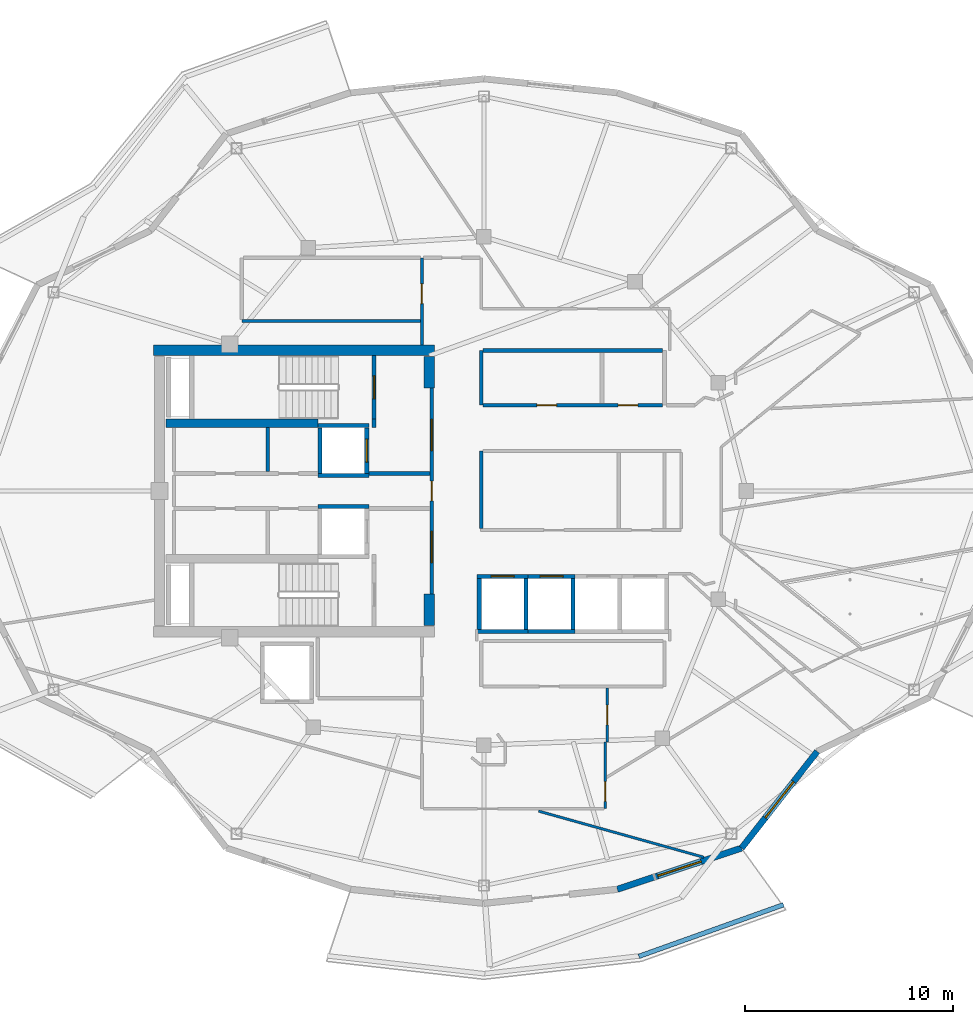
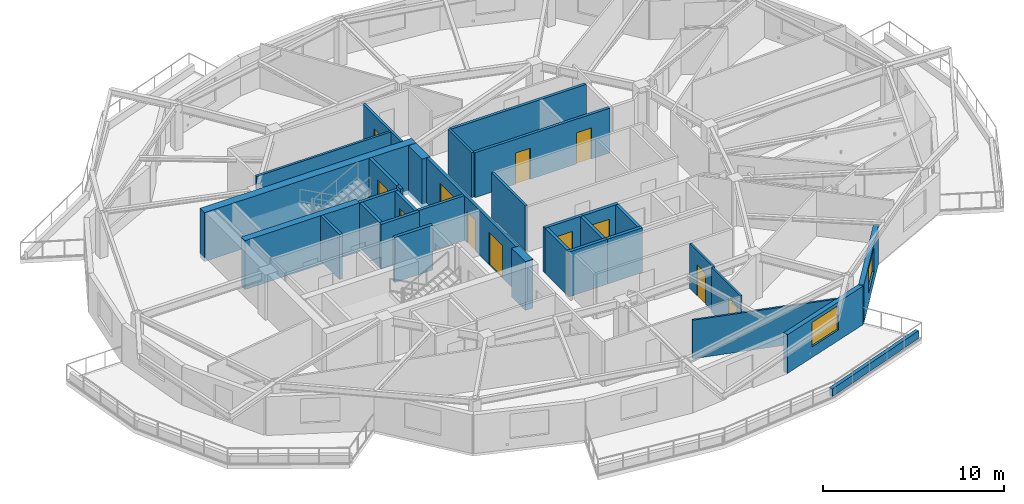
# One storey, part 4 of 14: 33 walls, 12 doors, 2 windows, 14 openings.
"""IFC4 building model written with IfcOpenShell, lengths in metres."""

import ifcopenshell
import ifcopenshell.guid

model = None  # the IFC model being written
_history = None  # IfcOwnerHistory: only IFC2X3 demands one
_inside = {}  # id of a spatial element -> (the spatial element, [elements in it])
_under = {}  # id of a project, library or spatial element -> (it, [spatial elements below it])
_declared = {}  # id of a project -> (the project, [libraries it declares])
_typed = {}  # id of a type object -> (the type object, [elements of that type])
_made_of = {}  # id of a material, layer set ... -> (it, [elements and type objects made of it])


def new_model(schema):
    """Start an empty IFC model of exactly this schema.

    Asked for "IFC4X3", IfcOpenShell would pick the latest addendum, in which some entities
    have other attributes; the version numbers below select the first issue.
    IFC2X3 requires an IfcOwnerHistory on every rooted entity: one is made here for all.
    """
    global model, _history
    if schema == "IFC4X3":
        model = ifcopenshell.file(schema_version=(4, 3, 0, 0))
    else:
        model = ifcopenshell.file(schema=schema)
    _inside.clear()
    _under.clear()
    _declared.clear()
    _typed.clear()
    _made_of.clear()
    _history = None
    if model.schema == "IFC2X3":
        org = make("IfcOrganization", Name="unknown")
        user = make(
            "IfcPersonAndOrganization",
            ThePerson=make("IfcPerson", FamilyName="unknown"),
            TheOrganization=org,
        )
        app = make(
            "IfcApplication",
            ApplicationDeveloper=org,
            Version="unknown",
            ApplicationFullName="unknown",
            ApplicationIdentifier="unknown",
        )
        _history = make(
            "IfcOwnerHistory",
            OwningUser=user,
            OwningApplication=app,
            ChangeAction="ADDED",
            CreationDate=0,
        )
    return model


def make(cls, **values):
    """One entity of the class cls with the attributes given. An attribute that is None is left unset."""
    return model.create_entity(
        cls, **{name: value for name, value in values.items() if value is not None}
    )


def rooted(cls, **values):
    """An entity with a GlobalId (a new one), such as an element, a storey or a relation."""
    return make(cls, GlobalId=ifcopenshell.guid.new(), OwnerHistory=_history, **values)


def si_unit(unit_type, name, prefix=None):
    """IfcSIUnit, for example si_unit("LENGTHUNIT", "METRE", prefix="MILLI")."""
    return make("IfcSIUnit", UnitType=unit_type, Prefix=prefix, Name=name)


def assignment(units):
    """IfcUnitAssignment: the units of a project."""
    return None if units is None else make("IfcUnitAssignment", Units=units)


def point(xyz):
    """IfcCartesianPoint."""
    return None if xyz is None else make("IfcCartesianPoint", Coordinates=xyz)


def direction(xyz):
    """IfcDirection."""
    return None if xyz is None else make("IfcDirection", DirectionRatios=xyz)


def frame(location, z_axis=None, x_axis=None):
    """IfcAxis2Placement3D, a coordinate frame: its origin and axes. An axis left out is left unset."""
    return make(
        "IfcAxis2Placement3D",
        Location=point(location),
        Axis=direction(z_axis),
        RefDirection=direction(x_axis),
    )


def frame_2d(location, x_axis=None):
    """IfcAxis2Placement2D, a coordinate frame in the plane: its origin and x axis."""
    return make(
        "IfcAxis2Placement2D", Location=point(location), RefDirection=direction(x_axis)
    )


def origin():
    """The frame at (0, 0, 0) with its axes left unset."""
    return frame((0.0, 0.0, 0.0))


def place(relative_to, where):
    """IfcLocalPlacement: puts the frame where relative to a parent placement (None: the world)."""
    return make(
        "IfcLocalPlacement", PlacementRelTo=relative_to, RelativePlacement=where
    )


def context(
    kind, dimensions, precision=None, world=None, true_north=None, identifier=None
):
    """IfcGeometricRepresentationContext, for example the 3D "Model" context."""
    return make(
        "IfcGeometricRepresentationContext",
        ContextIdentifier=identifier,
        ContextType=kind,
        CoordinateSpaceDimension=dimensions,
        Precision=precision,
        WorldCoordinateSystem=world,
        TrueNorth=true_north,
    )


def subcontext(parent, identifier, kind, view, scale=None):
    """IfcGeometricRepresentationSubContext, for example "Body" below "Model"."""
    return make(
        "IfcGeometricRepresentationSubContext",
        ContextIdentifier=identifier,
        ContextType=kind,
        ParentContext=parent,
        TargetScale=scale,
        TargetView=view,
    )


def project(units=None, contexts=None):
    """IfcProject with its units and contexts."""
    return rooted(
        "IfcProject",
        Name="project",
        RepresentationContexts=contexts,
        UnitsInContext=assignment(units),
    )


def spatial(cls, under=None, at=None, **own):
    """A site, building, storey or space (cls), placed at a placement, below another one or the project."""
    s = rooted(cls, ObjectPlacement=at, **own)
    if under is not None:
        _under.setdefault(under.id(), (under, []))[1].append(s)
    return s


def profile(cls, at=None, kind="AREA", **sizes):
    """A parametric profile (cls). Its sizes go by their IFC names, for example OverallWidth=200.0."""
    return make(cls, ProfileType=kind, Position=at, **sizes)


def rectangle(**sizes):
    """IfcRectangleProfileDef."""
    return profile("IfcRectangleProfileDef", **sizes)


def extrude(swept, where, along, depth):
    """IfcExtrudedAreaSolid: the profile swept, set in the frame where, extruded along a direction by depth."""
    return make(
        "IfcExtrudedAreaSolid",
        SweptArea=swept,
        Position=where,
        ExtrudedDirection=direction(along),
        Depth=depth,
    )


def shape(context_of_items, identifier, shape_type, items):
    """IfcShapeRepresentation: the items that make up one representation, for example the "Body"."""
    return make(
        "IfcShapeRepresentation",
        ContextOfItems=context_of_items,
        RepresentationIdentifier=identifier,
        RepresentationType=shape_type,
        Items=items,
    )


def material(Name=None, Category=None):
    """IfcMaterial."""
    return make("IfcMaterial", Name=Name, Category=Category)


def layer(
    of_material, thickness, ventilated=None, Name=None, Category=None, Priority=None
):
    """IfcMaterialLayer: one layer of a wall or slab, of a material (None: an air gap)."""
    return make(
        "IfcMaterialLayer",
        Material=of_material,
        LayerThickness=thickness,
        IsVentilated=ventilated,
        Name=Name,
        Category=Category,
        Priority=Priority,
    )


def layer_set(layers, Name=None):
    """IfcMaterialLayerSet."""
    return make("IfcMaterialLayerSet", MaterialLayers=layers, LayerSetName=Name)


def made_of(thing, what):
    """Note that an element or type object is made of a material, layer set ...; save() writes the relation."""
    if what is not None:
        _made_of.setdefault(what.id(), (what, []))[1].append(thing)
    return thing


def type_object(cls, material=None, **own):
    """A type object (cls), such as IfcWallType, which elements share."""
    return made_of(rooted(cls, **own), material)


def element(
    cls,
    number,
    at=None,
    inside=None,
    cuts=None,
    type_object=None,
    material=None,
    context=None,
    identifier="Body",
    shape_type=None,
    held_by="IfcProductDefinitionShape",
    body=None,
    shapes=None,
    **own,
):
    """One element of the class cls, such as IfcWall. Its Tag is "e" and its number.

    at: its placement. inside: the storey or other place that contains it. cuts: it is an
    opening in that element (IfcRelVoidsElement). A single representation is given by context,
    identifier, shape_type and body (its items); several are given by shapes. held_by: the class
    of the entity that holds the representations. save() writes the other relations.
    """
    e = rooted(cls, Tag="e%d" % number, ObjectPlacement=at, **own)
    if body is not None:
        shapes = [shape(context, identifier, shape_type, body)]
    if shapes is not None:
        e.Representation = make(held_by, Representations=shapes)
    if inside is not None:
        _inside.setdefault(inside.id(), (inside, []))[1].append(e)
    if cuts is not None:
        rooted(
            "IfcRelVoidsElement", RelatingBuildingElement=cuts, RelatedOpeningElement=e
        )
    if type_object is not None:
        _typed.setdefault(type_object.id(), (type_object, []))[1].append(e)
    return made_of(e, material)


def fill(opening, filler):
    """IfcRelFillsElement: the door or window that sits in an opening."""
    return rooted(
        "IfcRelFillsElement",
        RelatingOpeningElement=opening,
        RelatedBuildingElement=filler,
    )


def aggregate(whole, parts):
    """IfcRelAggregates: a whole, such as a stair, and the parts it consists of."""
    return rooted("IfcRelAggregates", RelatingObject=whole, RelatedObjects=parts)


def save(model, path):
    """Write the relations noted so far, then the file.

    IfcRelAggregates (storeys below a building ...), IfcRelContainedInSpatialStructure (elements
    in a storey), IfcRelDefinesByType, IfcRelAssociatesMaterial and IfcRelDeclares: one each for
    every whole, place, type object, material and project.
    """
    for whole, parts in _under.values():
        aggregate(whole, parts)
    for where, things in _inside.values():
        rooted(
            "IfcRelContainedInSpatialStructure",
            RelatedElements=things,
            RelatingStructure=where,
        )
    for kind, things in _typed.values():
        rooted("IfcRelDefinesByType", RelatedObjects=things, RelatingType=kind)
    for what, things in _made_of.values():
        rooted("IfcRelAssociatesMaterial", RelatedObjects=things, RelatingMaterial=what)
    for by, libraries in _declared.values():
        rooted("IfcRelDeclares", RelatingContext=by, RelatedDefinitions=libraries)
    model.write(path)


model = new_model("IFC4")

# Units and contexts
model_context = context("Model", 3, precision=1e-05, world=origin(), true_north=direction((0.0, 1.0)))
body_context = subcontext(model_context, "Body", "Model", "MODEL_VIEW")
ifc_project = project(units=[si_unit("LENGTHUNIT", "METRE"), si_unit("AREAUNIT", "SQUARE_METRE"), si_unit("VOLUMEUNIT", "CUBIC_METRE"), si_unit("PLANEANGLEUNIT", "RADIAN"), si_unit("MASSUNIT", "GRAM", prefix="KILO")], contexts=[model_context])

# Site, building, storey
site_placement = place(None, origin())
site = spatial("IfcSite", under=ifc_project, at=site_placement, CompositionType="ELEMENT")
building_placement = place(site_placement, origin())
building = spatial("IfcBuilding", under=site, at=building_placement, Name="Kolvaren Gate Tower and Convention Centre", CompositionType="ELEMENT")
storey_placement = place(building_placement, frame((0.0, 0.0, 222.800048828125)))
storey = spatial("IfcBuildingStorey", under=building, at=storey_placement, Name="L59", CompositionType="ELEMENT", Elevation=222.800048828125)

# Wall
ifc_material_1 = material(Name="Autoclaved Aerated Masonry Blockwork Class 4 (4.0 MPa)", Category="masonry")
ifc_layer_1 = layer(ifc_material_1, 0.179931640625)
ifc_layer_set_1 = layer_set([ifc_layer_1], Name="Autoclaved Aerated Masonry Blockwork Class 4 (4.0 MPa)")
wall_type_1 = type_object("IfcWallType", Name="ARCH-WL-COMP-180", PredefinedType="SOLIDWALL", material=ifc_layer_set_1)
wall_1_placement = place(storey_placement, frame((24.85009765625, 30.0400390625, 0.0), z_axis=(0.0, 0.0, 1.0), x_axis=(0.0, 1.0, 0.0)))
element("IfcWall", 1, at=wall_1_placement, inside=storey, type_object=wall_type_1, Name="Interior Partition WL-L59-INT-002", PredefinedType="SOLIDWALL", context=body_context, shape_type="SweptSolid", body=[
    extrude(rectangle(XDim=0.419921875, YDim=0.179931640625, at=frame_2d((0.2099609375, 0.0))), origin(), (0.0, 0.0, 1.0), 3.030029296875),
])

# Wall, openings, doors
wall_2_placement = place(storey_placement, frame((27.6201171875, 22.050048828125, 0.0), z_axis=(0.0, 0.0, 1.0), x_axis=(0.0, 1.0, 0.0)))
wall_2 = element("IfcWall", 2, at=wall_2_placement, inside=storey, type_object=wall_type_1, Name="Interior Partition WL-L59-INT-003", PredefinedType="SOLIDWALL", context=body_context, shape_type="SweptSolid", body=[
    extrude(rectangle(XDim=9.89990234375, YDim=0.179931640625, at=frame_2d((4.949951171875, 0.0))), origin(), (0.0, 0.0, 1.0), 3.030029296875),
])
opening_1_placement = place(wall_2_placement, frame((4.47509765625, 0.0, 0.0)))
opening_1 = element("IfcOpeningElement", 3, at=opening_1_placement, cuts=wall_2, Name="Opening DR-01", PredefinedType="OPENING", context=body_context, shape_type="SweptSolid", body=[
    extrude(rectangle(XDim=0.949951171875, YDim=2.10009765625, at=frame_2d((0.47509765625, 1.050048828125))), frame((0.0, 0.099853515625, 0.0), z_axis=(0.0, -1.0, 0.0), x_axis=(1.0, 0.0, 0.0)), (0.0, 0.0, 1.0), 0.199951171875),
])
opening_2_placement = place(wall_2_placement, frame((6.889892578125, 0.0, 0.0)))
opening_2 = element("IfcOpeningElement", 4, at=opening_2_placement, cuts=wall_2, Name="Opening DL-01", PredefinedType="OPENING", context=body_context, shape_type="SweptSolid", body=[
    extrude(rectangle(XDim=1.5, YDim=2.199951171875, at=frame_2d((0.75, 1.10009765625))), frame((0.0, 0.099853515625, 0.0), z_axis=(0.0, -1.0, 0.0), x_axis=(1.0, 0.0, 0.0)), (0.0, 0.0, 1.0), 0.199951171875),
])
opening_3_placement = place(wall_2_placement, frame((1.510009765625, 0.0, 0.0)))
opening_3 = element("IfcOpeningElement", 5, at=opening_3_placement, cuts=wall_2, Name="Opening DL-01", PredefinedType="OPENING", context=body_context, shape_type="SweptSolid", body=[
    extrude(rectangle(XDim=1.5, YDim=2.199951171875, at=frame_2d((0.75, 1.10009765625))), frame((0.0, 0.099853515625, 0.0), z_axis=(0.0, -1.0, 0.0), x_axis=(1.0, 0.0, 0.0)), (0.0, 0.0, 1.0), 0.199951171875),
])
ifc_material_2 = material(Name="Painted Architectural Steelwork ASTM A500 Grade C 345 MPa", Category="steel")
door_type_1 = type_object("IfcDoorType", Name="ARCH-DR-LOBBY-1500", OperationType="DOUBLE_DOOR_SINGLE_SWING", PredefinedType="DOOR", material=ifc_material_2)
door_1_placement = place(opening_2_placement, origin())
door_1 = element("IfcDoor", 6, at=door_1_placement, inside=storey, type_object=door_type_1, Name="North Firefighting Stair and Lift Lobby Door", OperationType="DOUBLE_DOOR_SINGLE_SWING", OverallHeight=2.199951171875, OverallWidth=1.5, PredefinedType="DOOR", context=body_context, shape_type="SweptSolid", body=[
    extrude(rectangle(XDim=1.5, YDim=2.199951171875, at=frame_2d((0.75, 1.10009765625))), frame((0.0, 0.02490234375, 0.0), z_axis=(0.0, -1.0, 0.0), x_axis=(1.0, 0.0, 0.0)), (0.0, 0.0, 1.0), 0.050048828125),
])
fill(opening_2, door_1)
door_2_placement = place(opening_3_placement, origin())
door_2 = element("IfcDoor", 7, at=door_2_placement, inside=storey, type_object=door_type_1, Name="South Firefighting Stair and Lift Lobby Door", OperationType="DOUBLE_DOOR_SINGLE_SWING", OverallHeight=2.199951171875, OverallWidth=1.5, PredefinedType="DOOR", context=body_context, shape_type="SweptSolid", body=[
    extrude(rectangle(XDim=1.5, YDim=2.199951171875, at=frame_2d((0.75, 1.10009765625))), frame((0.0, 0.02490234375, 0.0), z_axis=(0.0, -1.0, 0.0), x_axis=(1.0, 0.0, 0.0)), (0.0, 0.0, 1.0), 0.050048828125),
])
fill(opening_3, door_2)
door_type_2 = type_object("IfcDoorType", Name="ARCH-DR-RISER-950", OperationType="SINGLE_SWING_RIGHT", PredefinedType="DOOR", material=ifc_material_2)
door_3_placement = place(opening_1_placement, origin())
door_3 = element("IfcDoor", 8, at=door_3_placement, inside=storey, type_object=door_type_2, Name="Central MEP Service Corridor Door", OperationType="SINGLE_SWING_LEFT", OverallHeight=2.10009765625, OverallWidth=0.949951171875, PredefinedType="DOOR", context=body_context, shape_type="SweptSolid", body=[
    extrude(rectangle(XDim=0.949951171875, YDim=2.10009765625, at=frame_2d((0.47509765625, 1.050048828125))), frame((0.0, 0.02490234375, 0.0), z_axis=(0.0, -1.0, 0.0), x_axis=(1.0, 0.0, 0.0)), (0.0, 0.0, 1.0), 0.050048828125),
])
fill(opening_1, door_3)

# Walls
wall_3_placement = place(storey_placement, frame((24.60009765625, 27.840087890625, 0.0), z_axis=(0.0, 0.0, 1.0), x_axis=(1.0, 0.0, 0.0)))
element("IfcWall", 9, at=wall_3_placement, inside=storey, type_object=wall_type_1, Name="Interior Partition WL-L59-INT-004 (2)", PredefinedType="SOLIDWALL", context=body_context, shape_type="SweptSolid", body=[
    extrude(rectangle(XDim=2.927978515625, YDim=0.179931640625, at=frame_2d((1.4638671875, 0.0))), origin(), (0.0, 0.0, 1.0), 3.030029296875),
])
wall_4_placement = place(storey_placement, frame((19.75, 27.931884765625, 0.0), z_axis=(0.0, 0.0, 1.0), x_axis=(0.0, 1.0, 0.0)))
element("IfcWall", 10, at=wall_4_placement, inside=storey, type_object=wall_type_1, Name="Interior Partition WL-L59-INT-008", PredefinedType="SOLIDWALL", context=body_context, shape_type="SweptSolid", body=[
    extrude(rectangle(XDim=2.106201171875, YDim=0.179931640625, at=frame_2d((1.05322265625, 0.0))), origin(), (0.0, 0.0, 1.0), 3.030029296875),
])

# Wall, openings, doors
wall_5_placement = place(storey_placement, frame((30.076904296875, 31.1201171875, 0.0), z_axis=(0.0, 0.0, 1.0), x_axis=(1.0, 0.0, 0.0)))
wall_5 = element("IfcWall", 11, at=wall_5_placement, inside=storey, type_object=wall_type_1, Name="Interior Partition WL-L59-INT-023", PredefinedType="SOLIDWALL", context=body_context, shape_type="SweptSolid", body=[
    extrude(rectangle(XDim=8.631103515625, YDim=0.179931640625, at=frame_2d((4.3154296875, 0.0))), origin(), (0.0, 0.0, 1.0), 3.030029296875),
])
opening_4_placement = place(wall_5_placement, frame((2.591552734375, 0.0, 0.0)))
opening_4 = element("IfcOpeningElement", 12, at=opening_4_placement, cuts=wall_5, Name="Opening DR-01", PredefinedType="OPENING", context=body_context, shape_type="SweptSolid", body=[
    extrude(rectangle(XDim=0.949951171875, YDim=2.10009765625, at=frame_2d((0.47509765625, 1.050048828125))), frame((0.0, 0.099853515625, 0.0), z_axis=(0.0, -1.0, 0.0), x_axis=(1.0, 0.0, 0.0)), (0.0, 0.0, 1.0), 0.199951171875),
])
opening_5_placement = place(wall_5_placement, frame((6.4970703125, 0.0, 0.0)))
opening_5 = element("IfcOpeningElement", 13, at=opening_5_placement, cuts=wall_5, Name="Opening DR-01", PredefinedType="OPENING", context=body_context, shape_type="SweptSolid", body=[
    extrude(rectangle(XDim=0.949951171875, YDim=2.10009765625, at=frame_2d((0.47509765625, 1.050048828125))), frame((0.0, 0.099853515625, 0.0), z_axis=(0.0, -1.0, 0.0), x_axis=(1.0, 0.0, 0.0)), (0.0, 0.0, 1.0), 0.199951171875),
])
door_4_placement = place(opening_4_placement, origin())
door_4 = element("IfcDoor", 14, at=door_4_placement, inside=storey, type_object=door_type_2, Name="Steward Supply Store Door", OperationType="SINGLE_SWING_LEFT", OverallHeight=2.10009765625, OverallWidth=0.949951171875, PredefinedType="DOOR", context=body_context, shape_type="SweptSolid", body=[
    extrude(rectangle(XDim=0.949951171875, YDim=2.10009765625, at=frame_2d((0.47509765625, 1.050048828125))), frame((0.0, 0.02490234375, 0.0), z_axis=(0.0, -1.0, 0.0), x_axis=(1.0, 0.0, 0.0)), (0.0, 0.0, 1.0), 0.050048828125),
])
fill(opening_4, door_4)
door_5_placement = place(opening_5_placement, origin())
door_5 = element("IfcDoor", 15, at=door_5_placement, inside=storey, type_object=door_type_2, Name="Floor Telecom Switch Room Door", OperationType="SINGLE_SWING_RIGHT", OverallHeight=2.10009765625, OverallWidth=0.949951171875, PredefinedType="DOOR", context=body_context, shape_type="SweptSolid", body=[
    extrude(rectangle(XDim=0.949951171875, YDim=2.10009765625, at=frame_2d((0.47509765625, 1.050048828125))), frame((0.0, 0.02490234375, 0.0), z_axis=(0.0, -1.0, 0.0), x_axis=(1.0, 0.0, 0.0)), (0.0, 0.0, 1.0), 0.050048828125),
])
fill(opening_5, door_5)

# Wall
wall_6_placement = place(storey_placement, frame((30.076904296875, 33.75, 0.0), z_axis=(0.0, 0.0, 1.0), x_axis=(1.0, 0.0, 0.0)))
element("IfcWall", 16, at=wall_6_placement, inside=storey, type_object=wall_type_1, Name="Interior Partition WL-L59-INT-024", PredefinedType="SOLIDWALL", context=body_context, shape_type="SweptSolid", body=[
    extrude(rectangle(XDim=8.631103515625, YDim=0.179931640625, at=frame_2d((4.3154296875, 0.0))), origin(), (0.0, 0.0, 1.0), 3.030029296875),
])

# Wall, opening, door
ifc_material_3 = material(Name="Fire-Rated Acoustic Gypsum Stud Partition", Category="gypsum")
ifc_layer_2 = layer(ifc_material_3, 0.1201171875)
ifc_layer_set_2 = layer_set([ifc_layer_2], Name="Fire-Rated Acoustic Gypsum Stud Partition")
wall_type_2 = type_object("IfcWallType", Name="ARCH-WL-PART-120", PredefinedType="PARTITIONING", material=ifc_layer_set_2)
wall_7_placement = place(storey_placement, frame((36.050048828125, 14.949951171875, 0.0), z_axis=(0.0, 0.0, 1.0), x_axis=(0.0, 1.0, 0.0)))
wall_7 = element("IfcWall", 17, at=wall_7_placement, inside=storey, type_object=wall_type_2, Name="Interior Partition WL-L59-INT-049", PredefinedType="PARTITIONING", context=body_context, shape_type="SweptSolid", body=[
    extrude(rectangle(XDim=2.593017578125, YDim=0.1201171875, at=frame_2d((1.29638671875, 0.0))), origin(), (0.0, 0.0, 1.0), 3.030029296875),
])
opening_6_placement = place(wall_7_placement, frame((0.821533203125, 0.0, 0.0)))
opening_6 = element("IfcOpeningElement", 18, at=opening_6_placement, cuts=wall_7, Name="Opening DR-01", PredefinedType="OPENING", context=body_context, shape_type="SweptSolid", body=[
    extrude(rectangle(XDim=0.949951171875, YDim=2.10009765625, at=frame_2d((0.47509765625, 1.050048828125))), frame((0.0, 0.070068359375, 0.0), z_axis=(0.0, -1.0, 0.0), x_axis=(1.0, 0.0, 0.0)), (0.0, 0.0, 1.0), 0.14013671875),
])
door_6_placement = place(opening_6_placement, origin())
door_6 = element("IfcDoor", 19, at=door_6_placement, inside=storey, type_object=door_type_2, Name="Resident Reading Study Door", OperationType="SINGLE_SWING_RIGHT", OverallHeight=2.10009765625, OverallWidth=0.949951171875, PredefinedType="DOOR", context=body_context, shape_type="SweptSolid", body=[
    extrude(rectangle(XDim=0.949951171875, YDim=2.10009765625, at=frame_2d((0.47509765625, 1.050048828125))), frame((0.0, 0.02490234375, 0.0), z_axis=(0.0, -1.0, 0.0), x_axis=(1.0, 0.0, 0.0)), (0.0, 0.0, 1.0), 0.050048828125),
])
fill(opening_6, door_6)

wall_8_placement = place(storey_placement, frame((35.949951171875, 11.75, 0.0), z_axis=(0.0, 0.0, 1.0), x_axis=(0.0, 1.0, 0.0)))
wall_8 = element("IfcWall", 20, at=wall_8_placement, inside=storey, type_object=wall_type_2, Name="Interior Partition WL-L59-INT-050", PredefinedType="PARTITIONING", context=body_context, shape_type="SweptSolid", body=[
    extrude(rectangle(XDim=3.199951171875, YDim=0.1201171875, at=frame_2d((1.60009765625, 0.0))), origin(), (0.0, 0.0, 1.0), 3.030029296875),
])
opening_7_placement = place(wall_8_placement, frame((0.343017578125, 0.0, 0.0)))
opening_7 = element("IfcOpeningElement", 21, at=opening_7_placement, cuts=wall_8, Name="Opening DR-01", PredefinedType="OPENING", context=body_context, shape_type="SweptSolid", body=[
    extrude(rectangle(XDim=0.949951171875, YDim=2.10009765625, at=frame_2d((0.47509765625, 1.050048828125))), frame((0.0, 0.070068359375, 0.0), z_axis=(0.0, -1.0, 0.0), x_axis=(1.0, 0.0, 0.0)), (0.0, 0.0, 1.0), 0.14013671875),
])
door_7_placement = place(opening_7_placement, origin())
door_7 = element("IfcDoor", 22, at=door_7_placement, inside=storey, type_object=door_type_2, Name="Resident Private Study Door", OperationType="SINGLE_SWING_LEFT", OverallHeight=2.10009765625, OverallWidth=0.949951171875, PredefinedType="DOOR", context=body_context, shape_type="SweptSolid", body=[
    extrude(rectangle(XDim=0.949951171875, YDim=2.10009765625, at=frame_2d((0.47509765625, 1.050048828125))), frame((0.0, 0.02490234375, 0.0), z_axis=(0.0, -1.0, 0.0), x_axis=(1.0, 0.0, 0.0)), (0.0, 0.0, 1.0), 0.050048828125),
])
fill(opening_7, door_7)

# Walls
wall_9_placement = place(storey_placement, frame((32.75341796875, 11.6279296875, 0.0), z_axis=(0.0, 0.0, 1.0), x_axis=(0.96314203236, -0.26899335587, 0.0)))
element("IfcWall", 23, at=wall_9_placement, inside=storey, type_object=wall_type_2, Name="Interior Partition WL-L59-INT-060", PredefinedType="PARTITIONING", context=body_context, shape_type="SweptSolid", body=[
    extrude(rectangle(XDim=8.237548828125, YDim=0.1201171875, at=frame_2d((4.11865234375, 0.0))), origin(), (0.0, 0.0, 1.0), 2.60498046875),
])
ifc_material_4 = material(Name="Piedmont Cream Honed Limestone Cladding", Category="masonry")
ifc_layer_3 = layer(ifc_material_4, 0.219970703125)
ifc_layer_set_3 = layer_set([ifc_layer_3], Name="Piedmont Cream Honed Limestone Cladding")
wall_type_3 = type_object("IfcWallType", Name="ARCH-WL-PLANTER-220", PredefinedType="PARAPET", material=ifc_layer_set_3)
wall_10_placement = place(storey_placement, frame((37.564697265625, 4.65283203125, 0.0), z_axis=(0.0, 0.0, 1.0), x_axis=(0.941780086523, 0.336229488042, 0.0)))
element("IfcWall", 24, at=wall_10_placement, inside=storey, type_object=wall_type_3, Name="Vertical-Forest Balcony Stone Planter Kerb PK-L59-3.3", PredefinedType="PARAPET", context=body_context, shape_type="SweptSolid", body=[
    extrude(rectangle(XDim=7.3779296875, YDim=0.219970703125, at=frame_2d((3.68896484375, 0.0))), origin(), (0.0, 0.0, 1.0), 0.52001953125),
])
ifc_layer_4 = layer(ifc_material_1, 0.199951171875)
ifc_layer_set_4 = layer_set([ifc_layer_4], Name="Autoclaved Aerated Masonry Blockwork Class 4 (4.0 MPa)")
wall_type_4 = type_object("IfcWallType", Name="ARCH-WL-SHAFT-200", PredefinedType="SOLIDWALL", material=ifc_layer_set_4)
for number, where, z_axis, x_axis, name in (
    (25, (22.14990234375, 30.139892578125, 0.0), (0.0, 0.0, 1.0), (1.0, 0.0, 0.0), "Elevator FF-01 L59 Fire Shaft Wall N"),
    (26, (22.14990234375, 27.739990234375, 0.0), (0.0, 0.0, 1.0), (1.0, 0.0, 0.0), "Elevator FF-01 L59 Fire Shaft Wall S"),
):
    element("IfcWall", number, at=place(storey_placement, frame(where, z_axis=z_axis, x_axis=x_axis)), inside=storey, type_object=wall_type_4, Name=name, PredefinedType="SOLIDWALL", context=body_context, shape_type="SweptSolid", body=[
        extrude(rectangle(XDim=2.4501953125, YDim=0.199951171875, at=frame_2d((1.22509765625, 0.0))), origin(), (0.0, 0.0, 1.0), 3.030029296875),
    ])
wall_11_placement = place(storey_placement, frame((22.25, 27.85009765625, 0.0), z_axis=(0.0, 0.0, 1.0), x_axis=(0.0, 1.0, 0.0)))
element("IfcWall", 27, at=wall_11_placement, inside=storey, type_object=wall_type_4, Name="Elevator FF-01 L59 Fire Shaft Wall W", PredefinedType="SOLIDWALL", context=body_context, shape_type="SweptSolid", body=[
    extrude(rectangle(XDim=2.179931640625, YDim=0.199951171875, at=frame_2d((1.08984375, 0.0))), origin(), (0.0, 0.0, 1.0), 3.030029296875),
])

# Wall, opening, door
wall_12_placement = place(storey_placement, frame((24.5, 27.85009765625, 0.0), z_axis=(0.0, 0.0, 1.0), x_axis=(0.0, 1.0, 0.0)))
wall_12 = element("IfcWall", 28, at=wall_12_placement, inside=storey, type_object=wall_type_4, Name="Elevator FF-01 L59 Fire Shaft Wall E", PredefinedType="SOLIDWALL", context=body_context, shape_type="SweptSolid", body=[
    extrude(rectangle(XDim=2.179931640625, YDim=0.199951171875, at=frame_2d((1.08984375, 0.0))), origin(), (0.0, 0.0, 1.0), 3.030029296875),
])
opening_8_placement = place(wall_12_placement, frame((0.5400390625, 0.0, 0.0)))
opening_8 = element("IfcOpeningElement", 29, at=opening_8_placement, cuts=wall_12, Name="Opening LD", PredefinedType="OPENING", context=body_context, shape_type="SweptSolid", body=[
    extrude(rectangle(XDim=1.10009765625, YDim=2.199951171875, at=frame_2d((0.550048828125, 1.10009765625))), frame((0.0, 0.10986328125, 0.0), z_axis=(0.0, -1.0, 0.0), x_axis=(1.0, 0.0, 0.0)), (0.0, 0.0, 1.0), 0.219970703125),
])
ifc_material_5 = material(Name="Brushed Stainless Steel Grade 316L", Category="steel")
door_type_3 = type_object("IfcDoorType", Name="ARCH-DR-LIFT-1100", OperationType="SLIDING_TO_LEFT", PredefinedType="DOOR", material=ifc_material_5)
door_8_placement = place(opening_8_placement, origin())
door_8 = element("IfcDoor", 30, at=door_8_placement, inside=storey, type_object=door_type_3, Name="Elevator FF-01 L59 Sliding Landing Door", OperationType="SLIDING_TO_LEFT", OverallHeight=2.199951171875, OverallWidth=1.10009765625, PredefinedType="DOOR", context=body_context, shape_type="SweptSolid", body=[
    extrude(rectangle(XDim=1.10009765625, YDim=2.199951171875, at=frame_2d((0.550048828125, 1.10009765625))), frame((0.0, 0.02490234375, 0.0), z_axis=(0.0, -1.0, 0.0), x_axis=(1.0, 0.0, 0.0)), (0.0, 0.0, 1.0), 0.050048828125),
])
fill(opening_8, door_8)

# Wall
wall_13_placement = place(storey_placement, frame((22.14990234375, 26.260009765625, 0.0), z_axis=(0.0, 0.0, 1.0), x_axis=(1.0, 0.0, 0.0)))
element("IfcWall", 31, at=wall_13_placement, inside=storey, type_object=wall_type_4, Name="Elevator FF-02 L59 Fire Shaft Wall N", PredefinedType="SOLIDWALL", context=body_context, shape_type="SweptSolid", body=[
    extrude(rectangle(XDim=2.4501953125, YDim=0.199951171875, at=frame_2d((1.22509765625, 0.0))), origin(), (0.0, 0.0, 1.0), 3.030029296875),
])

# Wall, opening, door
wall_14_placement = place(storey_placement, frame((29.800048828125, 22.89990234375, 0.0), z_axis=(0.0, 0.0, 1.0), x_axis=(1.0, 0.0, 0.0)))
wall_14 = element("IfcWall", 32, at=wall_14_placement, inside=storey, type_object=wall_type_4, Name="Elevator PL-09 L59 Fire Shaft Wall N", PredefinedType="SOLIDWALL", context=body_context, shape_type="SweptSolid", body=[
    extrude(rectangle(XDim=2.449951171875, YDim=0.199951171875, at=frame_2d((1.22509765625, 0.0))), origin(), (0.0, 0.0, 1.0), 3.030029296875),
])
opening_9_placement = place(wall_14_placement, frame((0.675048828125, 0.0, 0.0)))
opening_9 = element("IfcOpeningElement", 33, at=opening_9_placement, cuts=wall_14, Name="Opening LD", PredefinedType="OPENING", context=body_context, shape_type="SweptSolid", body=[
    extrude(rectangle(XDim=1.10009765625, YDim=2.199951171875, at=frame_2d((0.550048828125, 1.10009765625))), frame((0.0, 0.10986328125, 0.0), z_axis=(0.0, -1.0, 0.0), x_axis=(1.0, 0.0, 0.0)), (0.0, 0.0, 1.0), 0.219970703125),
])
door_9_placement = place(opening_9_placement, origin())
door_9 = element("IfcDoor", 34, at=door_9_placement, inside=storey, type_object=door_type_3, Name="Elevator PL-09 L59 Sliding Landing Door", OperationType="SLIDING_TO_LEFT", OverallHeight=2.199951171875, OverallWidth=1.10009765625, PredefinedType="DOOR", context=body_context, shape_type="SweptSolid", body=[
    extrude(rectangle(XDim=1.10009765625, YDim=2.199951171875, at=frame_2d((0.550048828125, 1.10009765625))), frame((0.0, 0.02490234375, 0.0), z_axis=(0.0, -1.0, 0.0), x_axis=(1.0, 0.0, 0.0)), (0.0, 0.0, 1.0), 0.050048828125),
])
fill(opening_9, door_9)

# Walls
wall_15_placement = place(storey_placement, frame((29.800048828125, 20.25, 0.0), z_axis=(0.0, 0.0, 1.0), x_axis=(1.0, 0.0, 0.0)))
element("IfcWall", 35, at=wall_15_placement, inside=storey, type_object=wall_type_4, Name="Elevator PL-09 L59 Fire Shaft Wall S", PredefinedType="SOLIDWALL", context=body_context, shape_type="SweptSolid", body=[
    extrude(rectangle(XDim=2.449951171875, YDim=0.199951171875, at=frame_2d((1.22509765625, 0.0))), origin(), (0.0, 0.0, 1.0), 3.030029296875),
])
for number, where, z_axis, x_axis, name in (
    (36, (29.89990234375, 20.360107421875, 0.0), (0.0, 0.0, 1.0), (0.0, 1.0, 0.0), "Elevator PL-09 L59 Fire Shaft Wall W"),
    (37, (32.14990234375, 20.360107421875, 0.0), (0.0, 0.0, 1.0), (0.0, 1.0, 0.0), "Elevator PL-09 L59 Fire Shaft Wall E"),
):
    element("IfcWall", number, at=place(storey_placement, frame(where, z_axis=z_axis, x_axis=x_axis)), inside=storey, type_object=wall_type_4, Name=name, PredefinedType="SOLIDWALL", context=body_context, shape_type="SweptSolid", body=[
        extrude(rectangle(XDim=2.429931640625, YDim=0.199951171875, at=frame_2d((1.21484375, 0.0))), origin(), (0.0, 0.0, 1.0), 3.030029296875),
    ])

# Wall, opening, door
wall_16_placement = place(storey_placement, frame((32.25, 22.89990234375, 0.0), z_axis=(0.0, 0.0, 1.0), x_axis=(1.0, 0.0, 0.0)))
wall_16 = element("IfcWall", 38, at=wall_16_placement, inside=storey, type_object=wall_type_4, Name="Elevator PL-10 L59 Fire Shaft Wall N", PredefinedType="SOLIDWALL", context=body_context, shape_type="SweptSolid", body=[
    extrude(rectangle(XDim=2.25, YDim=0.199951171875, at=frame_2d((1.125, 0.0))), origin(), (0.0, 0.0, 1.0), 3.030029296875),
])
opening_10_placement = place(wall_16_placement, frame((0.574951171875, 0.0, 0.0)))
opening_10 = element("IfcOpeningElement", 39, at=opening_10_placement, cuts=wall_16, Name="Opening LD", PredefinedType="OPENING", context=body_context, shape_type="SweptSolid", body=[
    extrude(rectangle(XDim=1.10009765625, YDim=2.199951171875, at=frame_2d((0.550048828125, 1.10009765625))), frame((0.0, 0.10986328125, 0.0), z_axis=(0.0, -1.0, 0.0), x_axis=(1.0, 0.0, 0.0)), (0.0, 0.0, 1.0), 0.219970703125),
])
door_10_placement = place(opening_10_placement, origin())
door_10 = element("IfcDoor", 40, at=door_10_placement, inside=storey, type_object=door_type_3, Name="Elevator PL-10 L59 Sliding Landing Door", OperationType="SLIDING_TO_LEFT", OverallHeight=2.199951171875, OverallWidth=1.10009765625, PredefinedType="DOOR", context=body_context, shape_type="SweptSolid", body=[
    extrude(rectangle(XDim=1.10009765625, YDim=2.199951171875, at=frame_2d((0.550048828125, 1.10009765625))), frame((0.0, 0.02490234375, 0.0), z_axis=(0.0, -1.0, 0.0), x_axis=(1.0, 0.0, 0.0)), (0.0, 0.0, 1.0), 0.050048828125),
])
fill(opening_10, door_10)

# Walls
wall_17_placement = place(storey_placement, frame((32.25, 20.25, 0.0), z_axis=(0.0, 0.0, 1.0), x_axis=(1.0, 0.0, 0.0)))
element("IfcWall", 41, at=wall_17_placement, inside=storey, type_object=wall_type_4, Name="Elevator PL-10 L59 Fire Shaft Wall S", PredefinedType="SOLIDWALL", context=body_context, shape_type="SweptSolid", body=[
    extrude(rectangle(XDim=2.25, YDim=0.199951171875, at=frame_2d((1.125, 0.0))), origin(), (0.0, 0.0, 1.0), 3.030029296875),
])
wall_18_placement = place(storey_placement, frame((34.39990234375, 20.360107421875, 0.0), z_axis=(0.0, 0.0, 1.0), x_axis=(0.0, 1.0, 0.0)))
element("IfcWall", 42, at=wall_18_placement, inside=storey, type_object=wall_type_4, Name="Elevator PL-10 L59 Fire Shaft Wall E", PredefinedType="SOLIDWALL", context=body_context, shape_type="SweptSolid", body=[
    extrude(rectangle(XDim=2.429931640625, YDim=0.199951171875, at=frame_2d((1.21484375, 0.0))), origin(), (0.0, 0.0, 1.0), 3.030029296875),
])

# Wall, opening, window
ifc_layer_5 = layer(ifc_material_4, 0.300048828125)
ifc_layer_set_5 = layer_set([ifc_layer_5], Name="Piedmont Cream Honed Limestone Cladding")
wall_type_5 = type_object("IfcWallType", Name="ARCH-WL-STONE-300", PredefinedType="SOLIDWALL", material=ifc_layer_set_5)
wall_19_placement = place(storey_placement, frame((36.53076171875, 7.874755859375, 0.0), z_axis=(0.0, 0.0, 1.0), x_axis=(0.949240877604, 0.314550085495, 0.0)))
wall_19 = element("IfcWall", 43, at=wall_19_placement, inside=storey, type_object=wall_type_5, Name="Tower L59 Honed Stone Spandrel Wall EW-19", PredefinedType="SOLIDWALL", context=body_context, shape_type="SweptSolid", body=[
    extrude(rectangle(XDim=6.288330078125, YDim=0.300048828125, at=frame_2d((3.14404296875, 0.0))), origin(), (0.0, 0.0, 1.0), 2.60498046875),
])
opening_11_placement = place(wall_19_placement, frame((2.0439453125, 0.0, 0.719970703125)))
opening_11 = element("IfcOpeningElement", 44, at=opening_11_placement, cuts=wall_19, Name="Opening W-03", PredefinedType="OPENING", context=body_context, shape_type="SweptSolid", body=[
    extrude(rectangle(XDim=2.199951171875, YDim=1.64990234375, at=frame_2d((1.10009765625, 0.824951171875))), frame((0.0, 0.159912109375, 0.0), z_axis=(0.0, -1.0, 0.0), x_axis=(1.0, 0.0, 0.0)), (0.0, 0.0, 1.0), 0.320068359375),
])
ifc_material_6 = material(Name="Low-E Triple Insulated Glazing Unit 44 mm", Category="glass")
window_type = type_object("IfcWindowType", Name="ARCH-WN-RES-2200", PartitioningType="SINGLE_PANEL", PredefinedType="WINDOW", material=ifc_material_6)
window_1_placement = place(opening_11_placement, origin())
window_1 = element("IfcWindow", 45, at=window_1_placement, inside=storey, type_object=window_type, Name="Tower L59 Punched Stone Facade Window W-19", OverallHeight=1.64990234375, OverallWidth=2.199951171875, PartitioningType="SINGLE_PANEL", PredefinedType="WINDOW", context=body_context, shape_type="SweptSolid", body=[
    extrude(rectangle(XDim=2.199951171875, YDim=1.64990234375, at=frame_2d((1.10009765625, 0.824951171875))), frame((0.0, 0.030029296875, 0.0), z_axis=(0.0, -1.0, 0.0), x_axis=(1.0, 0.0, 0.0)), (0.0, 0.0, 1.0), 0.06005859375),
])
fill(opening_11, window_1)

wall_20_placement = place(storey_placement, frame((42.5, 9.852783203125, 0.0), z_axis=(0.0, 0.0, 1.0), x_axis=(0.616450126935, 0.787393955401, 0.0)))
wall_20 = element("IfcWall", 46, at=wall_20_placement, inside=storey, type_object=wall_type_5, Name="Tower L59 Honed Stone Spandrel Wall EW-20", PredefinedType="SOLIDWALL", context=body_context, shape_type="SweptSolid", body=[
    extrude(rectangle(XDim=5.892822265625, YDim=0.300048828125, at=frame_2d((2.9462890625, 0.0))), origin(), (0.0, 0.0, 1.0), 2.60498046875),
])
opening_12_placement = place(wall_20_placement, frame((1.845947265625, 0.0, 0.719970703125)))
opening_12 = element("IfcOpeningElement", 47, at=opening_12_placement, cuts=wall_20, Name="Opening W-03", PredefinedType="OPENING", context=body_context, shape_type="SweptSolid", body=[
    extrude(rectangle(XDim=2.199951171875, YDim=1.64990234375, at=frame_2d((1.10009765625, 0.824951171875))), frame((0.0, 0.159912109375, 0.0), z_axis=(0.0, -1.0, 0.0), x_axis=(1.0, 0.0, 0.0)), (0.0, 0.0, 1.0), 0.320068359375),
])
window_2_placement = place(opening_12_placement, origin())
window_2 = element("IfcWindow", 48, at=window_2_placement, inside=storey, type_object=window_type, Name="Tower L59 Punched Stone Facade Window W-20", OverallHeight=1.64990234375, OverallWidth=2.199951171875, PartitioningType="SINGLE_PANEL", PredefinedType="WINDOW", context=body_context, shape_type="SweptSolid", body=[
    extrude(rectangle(XDim=2.199951171875, YDim=1.64990234375, at=frame_2d((1.10009765625, 0.824951171875))), frame((0.0, 0.030029296875, 0.0), z_axis=(0.0, -1.0, 0.0), x_axis=(1.0, 0.0, 0.0)), (0.0, 0.0, 1.0), 0.06005859375),
])
fill(opening_12, window_2)

# Wall, opening, door
ifc_material_7 = material(Name="Moisture-Resistant Cement-Board Acoustic Partition", Category="gypsum")
ifc_layer_6 = layer(ifc_material_7, 0.14990234375)
ifc_layer_set_6 = layer_set([ifc_layer_6], Name="Moisture-Resistant Cement-Board Acoustic Partition")
wall_type_6 = type_object("IfcWallType", Name="ARCH-WL-WET-150", PredefinedType="PARTITIONING", material=ifc_layer_set_6)
wall_21_placement = place(storey_placement, frame((27.14990234375, 34.001953125, 0.0), z_axis=(0.0, 0.0, 1.0), x_axis=(0.0, 1.0, 0.0)))
wall_21 = element("IfcWall", 49, at=wall_21_placement, inside=storey, type_object=wall_type_6, Name="Interior Partition WL-L59-INT-012", PredefinedType="PARTITIONING", context=body_context, shape_type="SweptSolid", body=[
    extrude(rectangle(XDim=4.197998046875, YDim=0.14990234375, at=frame_2d((2.09912109375, 0.0))), origin(), (0.0, 0.0, 1.0), 3.030029296875),
])
opening_13_placement = place(wall_21_placement, frame((1.998046875, 0.0, 0.0)))
opening_13 = element("IfcOpeningElement", 50, at=opening_13_placement, cuts=wall_21, Name="Opening DR-01", PredefinedType="OPENING", context=body_context, shape_type="SweptSolid", body=[
    extrude(rectangle(XDim=0.949951171875, YDim=2.10009765625, at=frame_2d((0.47509765625, 1.050048828125))), frame((0.0, 0.0849609375, 0.0), z_axis=(0.0, -1.0, 0.0), x_axis=(1.0, 0.0, 0.0)), (0.0, 0.0, 1.0), 0.169921875),
])
door_11_placement = place(opening_13_placement, origin())
door_11 = element("IfcDoor", 51, at=door_11_placement, inside=storey, type_object=door_type_2, Name="Reclaimed North Resident Store Door", OperationType="SINGLE_SWING_RIGHT", OverallHeight=2.10009765625, OverallWidth=0.949951171875, PredefinedType="DOOR", context=body_context, shape_type="SweptSolid", body=[
    extrude(rectangle(XDim=0.949951171875, YDim=2.10009765625, at=frame_2d((0.47509765625, 1.050048828125))), frame((0.0, 0.02490234375, 0.0), z_axis=(0.0, -1.0, 0.0), x_axis=(1.0, 0.0, 0.0)), (0.0, 0.0, 1.0), 0.050048828125),
])
fill(opening_13, door_11)

# Walls
wall_22_placement = place(storey_placement, frame((30.0, 25.197021484375, 0.0), z_axis=(0.0, 0.0, 1.0), x_axis=(0.0, 1.0, 0.0)))
element("IfcWall", 52, at=wall_22_placement, inside=storey, type_object=wall_type_6, Name="Interior Partition WL-L59-INT-015", PredefinedType="PARTITIONING", context=body_context, shape_type="SweptSolid", body=[
    extrude(rectangle(XDim=3.722900390625, YDim=0.14990234375, at=frame_2d((1.861328125, 0.0))), origin(), (0.0, 0.0, 1.0), 3.030029296875),
])
wall_23_placement = place(storey_placement, frame((30.0, 31.1201171875, 0.0), z_axis=(0.0, 0.0, 1.0), x_axis=(0.0, 1.0, 0.0)))
element("IfcWall", 53, at=wall_23_placement, inside=storey, type_object=wall_type_6, Name="Interior Partition WL-L59-INT-016", PredefinedType="PARTITIONING", context=body_context, shape_type="SweptSolid", body=[
    extrude(rectangle(XDim=2.6298828125, YDim=0.14990234375, at=frame_2d((1.31494140625, 0.0))), origin(), (0.0, 0.0, 1.0), 3.030029296875),
])
wall_24_placement = place(storey_placement, frame((18.5, 35.159912109375, 0.0), z_axis=(0.0, 0.0, 1.0), x_axis=(1.0, 0.0, 0.0)))
element("IfcWall", 54, at=wall_24_placement, inside=storey, type_object=wall_type_6, Name="Interior Partition WL-L59-INT-028", PredefinedType="PARTITIONING", context=body_context, shape_type="SweptSolid", body=[
    extrude(rectangle(XDim=8.572998046875, YDim=0.14990234375, at=frame_2d((4.28662109375, 0.0))), origin(), (0.0, 0.0, 1.0), 3.030029296875),
])
ifc_material_8 = material(Name="Concrete C50/60", Category="concrete")
ifc_layer_7 = layer(ifc_material_8, 0.419921875)
ifc_layer_set_7 = layer_set([ifc_layer_7], Name="Concrete C50/60")
wall_type_7 = type_object("IfcWallType", Name="STR-WL-CONV-420", PredefinedType="SHEAR", material=ifc_layer_set_7)
wall_25_placement = place(storey_placement, frame((14.85009765625, 30.25, -0.27001953125), z_axis=(0.0, 0.0, 1.0), x_axis=(1.0, 0.0, 0.0)))
element("IfcWall", 55, at=wall_25_placement, inside=storey, type_object=wall_type_7, Name="Tower L59 Offset Core Shear Wall WN", PredefinedType="SHEAR", context=body_context, shape_type="SweptSolid", body=[
    extrude(rectangle(XDim=7.2998046875, YDim=0.419921875, at=frame_2d((3.64990234375, 0.0))), origin(), (0.0, 0.0, 1.0), 3.300048828125),
])
ifc_layer_8 = layer(ifc_material_8, 0.5)
ifc_layer_set_8 = layer_set([ifc_layer_8], Name="Concrete C50/60")
wall_type_8 = type_object("IfcWallType", Name="STR-WL-CORE-500", PredefinedType="SHEAR", material=ifc_layer_set_8)
wall_26_placement = place(storey_placement, frame((14.25, 33.75, -0.27001953125), z_axis=(0.0, 0.0, 1.0), x_axis=(1.0, 0.0, 0.0)))
element("IfcWall", 56, at=wall_26_placement, inside=storey, type_object=wall_type_8, Name="Tower L59 Offset Core Shear Wall N", PredefinedType="SHEAR", context=body_context, shape_type="SweptSolid", body=[
    extrude(rectangle(XDim=13.5, YDim=0.5, at=frame_2d((6.75, 0.0))), origin(), (0.0, 0.0, 1.0), 3.300048828125),
])
for number, where, z_axis, x_axis, name in (
    (57, (27.5, 31.949951171875, -0.27001953125), (0.0, 0.0, 1.0), (0.0, 1.0, 0.0), "Tower L59 Offset Core Shear Wall EN"),
    (58, (27.5, 20.550048828125, -0.27001953125), (0.0, 0.0, 1.0), (0.0, 1.0, 0.0), "Tower L59 Offset Core Shear Wall ES"),
):
    element("IfcWall", number, at=place(storey_placement, frame(where, z_axis=z_axis, x_axis=x_axis)), inside=storey, type_object=wall_type_8, Name=name, PredefinedType="SHEAR", context=body_context, shape_type="SweptSolid", body=[
        extrude(rectangle(XDim=1.5, YDim=0.5, at=frame_2d((0.75, 0.0))), origin(), (0.0, 0.0, 1.0), 3.300048828125),
    ])

# Wall, opening, door
ifc_layer_9 = layer(ifc_material_8, 0.199951171875)
ifc_layer_set_9 = layer_set([ifc_layer_9], Name="Concrete C50/60")
wall_type_9 = type_object("IfcWallType", Name="STR-WL-SHAFT-200", PredefinedType="SHEAR", material=ifc_layer_set_9)
wall_27_placement = place(storey_placement, frame((24.85009765625, 30.4599609375, -0.27001953125), z_axis=(0.0, 0.0, 1.0), x_axis=(0.0, 1.0, 0.0)))
wall_27 = element("IfcWall", 59, at=wall_27_placement, inside=storey, type_object=wall_type_9, Name="Tower North Exit Stair ST-T1 L59 Structural Shear Enclosure Wall NEAR", PredefinedType="SHEAR", context=body_context, shape_type="SweptSolid", body=[
    extrude(rectangle(XDim=3.0380859375, YDim=0.199951171875, at=frame_2d((1.51904296875, 0.0))), origin(), (0.0, 0.0, 1.0), 3.300048828125),
])
opening_14_placement = place(wall_27_placement, frame((0.968994140625, 0.0, 0.27001953125)))
opening_14 = element("IfcOpeningElement", 60, at=opening_14_placement, cuts=wall_27, Name="Opening DS-01", PredefinedType="OPENING", context=body_context, shape_type="SweptSolid", body=[
    extrude(rectangle(XDim=1.10009765625, YDim=2.14990234375, at=frame_2d((0.550048828125, 1.074951171875))), frame((0.0, 0.10986328125, 0.0), z_axis=(0.0, -1.0, 0.0), x_axis=(1.0, 0.0, 0.0)), (0.0, 0.0, 1.0), 0.219970703125),
])
door_type_4 = type_object("IfcDoorType", Name="ARCH-DR-STAIR-1100", OperationType="SINGLE_SWING_LEFT", PredefinedType="DOOR", material=ifc_material_2)
door_12_placement = place(opening_14_placement, origin())
door_12 = element("IfcDoor", 61, at=door_12_placement, inside=storey, type_object=door_type_4, Name="Tower North Exit Stair ST-T1 L59 Fire Exit Stair Door", OperationType="SINGLE_SWING_LEFT", OverallHeight=2.14990234375, OverallWidth=1.10009765625, PredefinedType="DOOR", context=body_context, shape_type="SweptSolid", body=[
    extrude(rectangle(XDim=1.10009765625, YDim=2.14990234375, at=frame_2d((0.550048828125, 1.074951171875))), frame((0.0, 0.02490234375, 0.0), z_axis=(0.0, -1.0, 0.0), x_axis=(1.0, 0.0, 0.0)), (0.0, 0.0, 1.0), 0.050048828125),
])
fill(opening_14, door_12)

save(model, "model.ifc")
